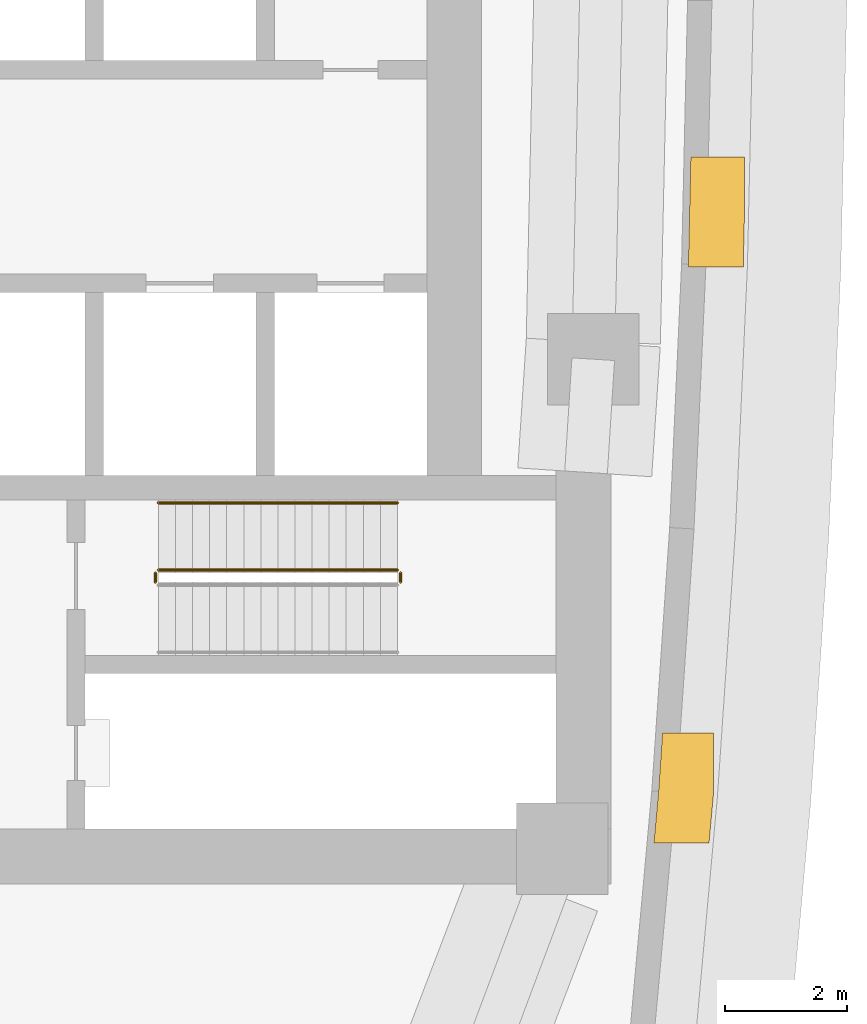
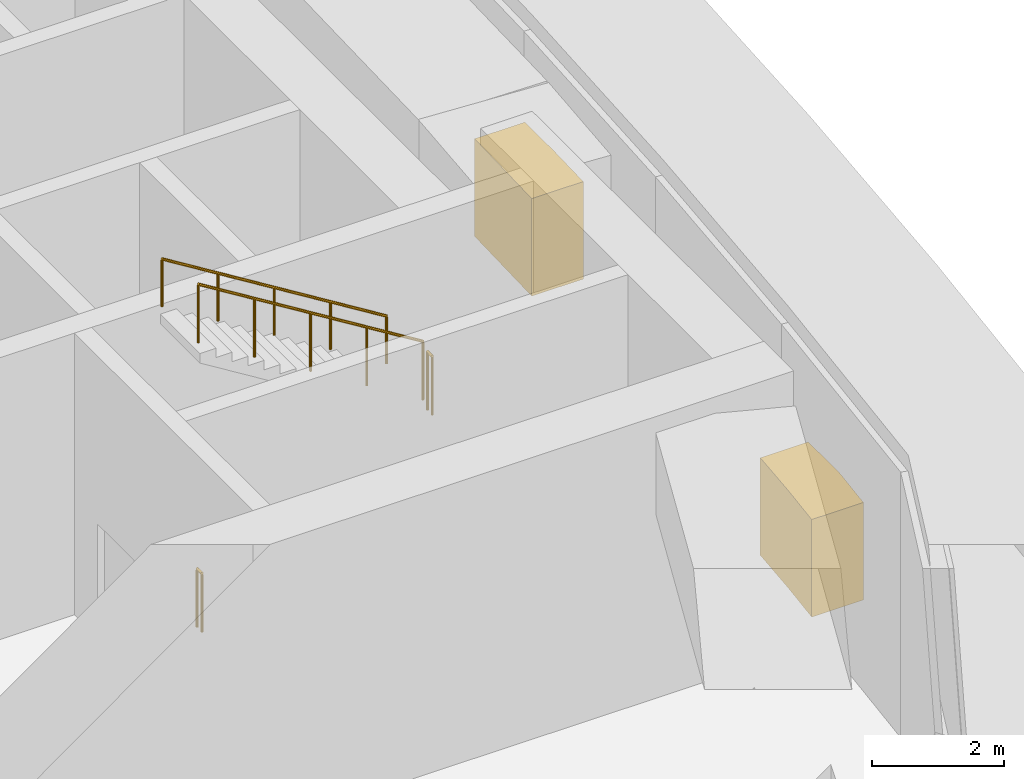
# One storey, part 16 of 18: 4 railings, 2 coverings.
"""IFC4 building model written with IfcOpenShell, lengths in metres."""

from ifc_helpers import new_model, si_unit, direction, frame, origin, origin_2d, place, context, subcontext, project, spatial, polyline, circle, outline, extrude, material, layer, layer_set, type_object, element, save


model = new_model("IFC4")

# Units and contexts
model_context = context("Model", 3, precision=1e-05, world=origin(), true_north=direction((0.0, 1.0)))
body_context = subcontext(model_context, "Body", "Model", "MODEL_VIEW")
ifc_project = project(units=[si_unit("LENGTHUNIT", "METRE"), si_unit("AREAUNIT", "SQUARE_METRE"), si_unit("VOLUMEUNIT", "CUBIC_METRE"), si_unit("PLANEANGLEUNIT", "RADIAN"), si_unit("MASSUNIT", "GRAM", prefix="KILO")], contexts=[model_context])

# Site, building, storey
site_placement = place(None, origin())
site = spatial("IfcSite", under=ifc_project, at=site_placement, CompositionType="ELEMENT")
building_placement = place(site_placement, origin())
building = spatial("IfcBuilding", under=site, at=building_placement, Name="Ostrand Prow Hotel Tower", CompositionType="ELEMENT")
storey_placement = place(building_placement, frame((0.0, 0.0, 165.699951171875)))
storey = spatial("IfcBuildingStorey", under=building, at=storey_placement, Name="L41", CompositionType="ELEMENT", Elevation=165.699951171875)

# Coverings
ifc_material_1 = material(Name="Limestone cladding", Category="masonry")
ifc_layer = layer(ifc_material_1, 2.0)
ifc_layer_set = layer_set([ifc_layer], Name="Limestone cladding")
covering_type = type_object("IfcCoveringType", Name="Belt lip limestone", PredefinedType="CLADDING", material=ifc_layer_set)
covering_1_placement = place(storey_placement, origin())
element("IfcCovering", 1, at=covering_1_placement, inside=storey, type_object=covering_type, Name="Belt fin 9 L41", PredefinedType="CLADDING", context=body_context, shape_type="SweptSolid", body=[
    extrude(outline(polyline([(66.29931640625, -15.18994140625), (66.304931640625, -15.105224609375), (66.304931640625, -14.1748046875), (65.466064453125, -14.1748046875), (65.4013671875, -15.12890625), (65.32470703125, -15.974853515625), (66.228271484375, -15.974853515625), (66.297607421875, -15.210205078125), (66.29931640625, -15.18994140625)])), origin(), (0.0, 0.0, 1.0), 1.800048828125),
])
covering_2_placement = place(storey_placement, origin())
element("IfcCovering", 2, at=covering_2_placement, inside=storey, type_object=covering_type, Name="Belt fin 10 L41", PredefinedType="CLADDING", context=body_context, shape_type="SweptSolid", body=[
    extrude(outline(polyline([(66.789794921875, -6.509765625), (66.809326171875, -5.642578125), (66.809326171875, -4.732421875), (65.9296875, -4.732421875), (65.889892578125, -6.489501953125), (65.887939453125, -6.5322265625), (66.7890625, -6.5322265625), (66.7890625, -6.530029296875), (66.789794921875, -6.509765625)])), origin(), (0.0, 0.0, 1.0), 1.800048828125),
])

# Railings
ifc_material_2 = material(Name="Painted steel", Category="steel")
railing_type_1 = type_object("IfcRailingType", Name="Stair guard 1100", PredefinedType="GUARDRAIL", material=ifc_material_2)
railing_1_placement = place(storey_placement, frame((61.169921875, -11.699951171875, 2.60009765625)))
element("IfcRailing", 3, at=railing_1_placement, inside=storey, type_object=railing_type_1, Name="L41 ST2C stair guard 2", PredefinedType="GUARDRAIL", context=body_context, shape_type="SweptSolid", body=[
    extrude(circle(Radius=0.02392578125, at=origin_2d()), frame((0.0, 0.0, 1.076171875), z_axis=(0.0, 1.0, 0.0), x_axis=(-1.0, 0.0, 0.0)), (0.0, 0.0, 1.0), 0.14990234375),
    extrude(circle(Radius=0.02099609375, at=origin_2d()), origin(), (0.0, 0.0, 1.0), 1.052001953125),
    extrude(circle(Radius=0.02099609375, at=origin_2d()), frame((0.0, 0.14990234375, 0.0)), (0.0, 0.0, 1.0), 1.052001953125),
])
railing_2_placement = place(storey_placement, frame((61.1201171875, -11.5, 2.7734375)))
element("IfcRailing", 4, at=railing_2_placement, inside=storey, type_object=railing_type_1, Name="L41 ST2C stair guard 3", PredefinedType="GUARDRAIL", context=body_context, shape_type="SweptSolid", body=[
    extrude(circle(Radius=0.02392578125, at=origin_2d()), frame((0.0, 0.0, 1.076171875), z_axis=(-0.850289973577, 0.0, 0.526314507528), x_axis=(0.0, -1.0, 0.0)), (0.0, 0.0, 1.0), 4.6103515625),
    extrude(circle(Radius=0.02099609375, at=origin_2d()), origin(), (0.0, 0.0, 1.0), 1.052001953125),
    extrude(circle(Radius=0.02099609375, at=origin_2d()), frame((-0.97998046875, 0.0, 0.606689453125)), (0.0, 0.0, 1.0), 1.052001953125),
    extrude(circle(Radius=0.02099609375, at=origin_2d()), frame((-1.9599609375, 0.0, 1.21337890625)), (0.0, 0.0, 1.0), 1.052001953125),
    extrude(circle(Radius=0.02099609375, at=origin_2d()), frame((-2.940185546875, 0.0, 1.81982421875)), (0.0, 0.0, 1.0), 1.052001953125),
    extrude(circle(Radius=0.02099609375, at=origin_2d()), frame((-3.920166015625, 0.0, 2.426513671875)), (0.0, 0.0, 1.0), 1.052001953125),
])
railing_3_placement = place(storey_placement, frame((57.14990234375, -11.699951171875, 0.0)))
element("IfcRailing", 5, at=railing_3_placement, inside=storey, type_object=railing_type_1, Name="L41 ST2C stair guard 4", PredefinedType="GUARDRAIL", context=body_context, shape_type="SweptSolid", body=[
    extrude(circle(Radius=0.02392578125, at=origin_2d()), frame((0.0, 0.0, 1.076171875), z_axis=(0.0, 1.0, 0.0), x_axis=(-1.0, 0.0, 0.0)), (0.0, 0.0, 1.0), 0.14990234375),
    extrude(circle(Radius=0.02099609375, at=origin_2d()), origin(), (0.0, 0.0, 1.0), 1.052001953125),
    extrude(circle(Radius=0.02099609375, at=origin_2d()), frame((0.0, 0.14990234375, 0.0)), (0.0, 0.0, 1.0), 1.052001953125),
])
ifc_material_3 = material(Name="Stainless steel", Category="steel")
railing_type_2 = type_object("IfcRailingType", Name="Stair handrail 900", PredefinedType="HANDRAIL", material=ifc_material_3)
railing_4_placement = place(storey_placement, frame((61.1201171875, -10.39990234375, 2.7734375)))
element("IfcRailing", 6, at=railing_4_placement, inside=storey, type_object=railing_type_2, Name="L41 ST2C stair handrail 2", PredefinedType="HANDRAIL", context=body_context, shape_type="SweptSolid", body=[
    extrude(circle(Radius=0.02392578125, at=origin_2d()), frame((0.0, 0.0, 0.8759765625), z_axis=(-0.850289973577, 0.0, 0.526314507528), x_axis=(0.0, -1.0, 0.0)), (0.0, 0.0, 1.0), 4.6103515625),
    extrude(circle(Radius=0.02099609375, at=origin_2d()), origin(), (0.0, 0.0, 1.0), 0.851806640625),
    extrude(circle(Radius=0.02099609375, at=origin_2d()), frame((-0.97998046875, 0.0, 0.606689453125)), (0.0, 0.0, 1.0), 0.851806640625),
    extrude(circle(Radius=0.02099609375, at=origin_2d()), frame((-1.9599609375, 0.0, 1.21337890625)), (0.0, 0.0, 1.0), 0.851806640625),
    extrude(circle(Radius=0.02099609375, at=origin_2d()), frame((-2.940185546875, 0.0, 1.81982421875)), (0.0, 0.0, 1.0), 0.851806640625),
    extrude(circle(Radius=0.02099609375, at=origin_2d()), frame((-3.920166015625, 0.0, 2.426513671875)), (0.0, 0.0, 1.0), 0.851806640625),
])

save(model, "model.ifc")
